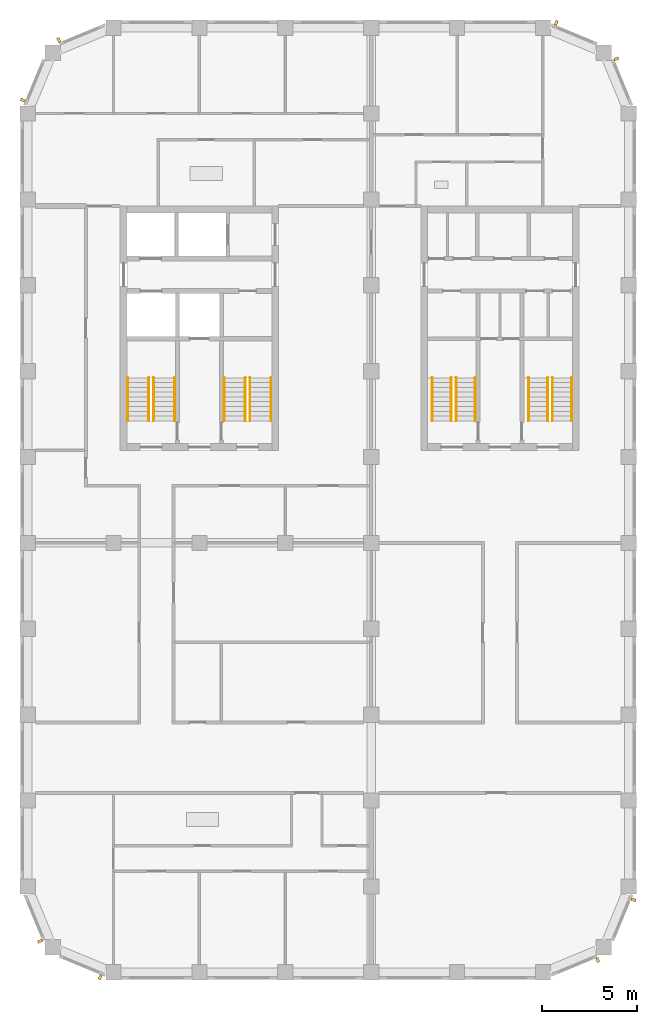
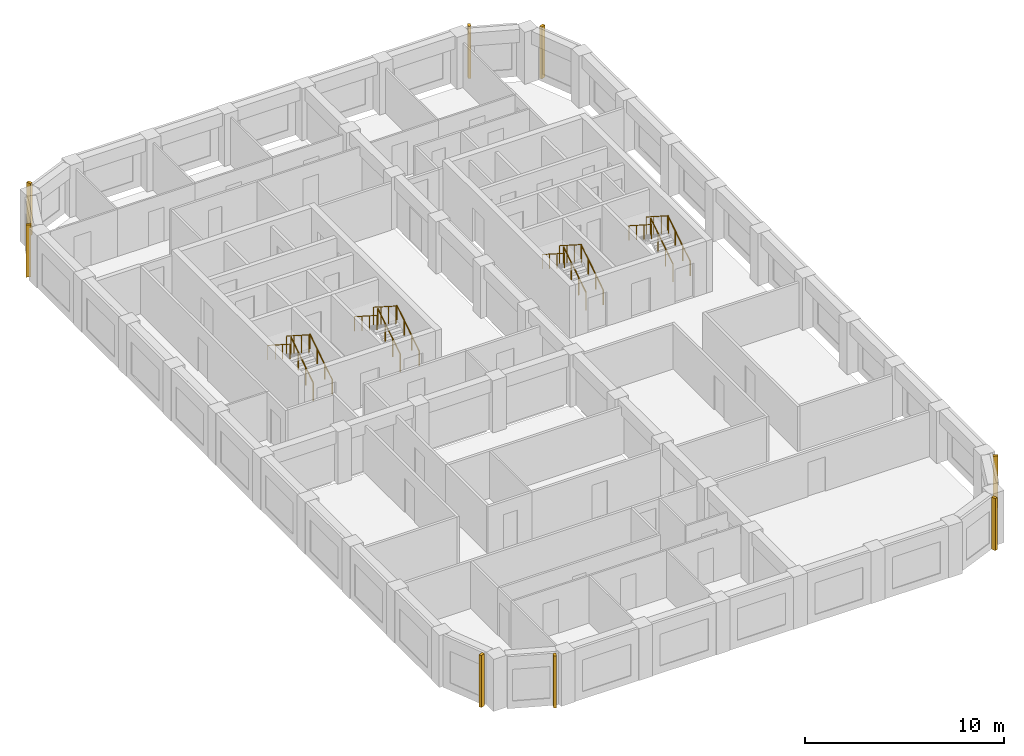
# One storey, part 8 of 9: 16 railings, 8 shading devices.
"""IFC4 building model written with IfcOpenShell, lengths in metres."""

from ifc_helpers import new_model, si_unit, direction, frame, origin, origin_2d, place, context, subcontext, project, spatial, rectangle, circle, extrude, material, type_object, element, save


model = new_model("IFC4")

# Units and contexts
model_context = context("Model", 3, precision=1e-05, world=origin(), true_north=direction((0.0, 1.0)))
body_context = subcontext(model_context, "Body", "Model", "MODEL_VIEW")
ifc_project = project(units=[si_unit("LENGTHUNIT", "METRE"), si_unit("AREAUNIT", "SQUARE_METRE"), si_unit("VOLUMEUNIT", "CUBIC_METRE"), si_unit("PLANEANGLEUNIT", "RADIAN"), si_unit("MASSUNIT", "GRAM", prefix="KILO")], contexts=[model_context])

# Site, building, storey
site_placement = place(None, origin())
site = spatial("IfcSite", under=ifc_project, at=site_placement, CompositionType="ELEMENT")
building_placement = place(site_placement, origin())
building = spatial("IfcBuilding", under=site, at=building_placement, Name="Girih Gate Residences", CompositionType="ELEMENT")
storey_placement = place(building_placement, frame((0.0, 0.0, 182.699951171875)))
storey = spatial("IfcBuildingStorey", under=building, at=storey_placement, Name="L50", CompositionType="ELEMENT", Elevation=182.699951171875)

# Shading devices
ifc_material_1 = material(Name="Precast concrete C50/60", Category="concrete")
shading_device_type = type_object("IfcShadingDeviceType", Name="Corner rib 150x250", PredefinedType="USERDEFINED", material=ifc_material_1)
for number, where, z_axis, x_axis, name in (
    (1, (29.867919921875, 0.646728515625, 0.0), (0.0, 0.0, 1.0), (0.923879532511, 0.382683432365, 0.0), "Corner rib SE0270_0000.0"),
    (2, (31.752685546875, 3.80322265625, 0.0), (0.0, 0.0, 1.0), (0.382683432365, 0.923879532511, 0.0), "Corner rib SE0302_0013.0"),
    (3, (30.853271484375, 47.867919921875, 0.0), (0.0, 0.0, 1.0), (-0.382683432365, 0.923879532511, 0.0), "Corner rib NE0315_0450.0"),
    (4, (27.69677734375, 49.752685546875, 0.0), (0.0, 0.0, 1.0), (-0.923879532511, 0.382683432365, 0.0), "Corner rib NE0302_0482.0"),
    (5, (1.632080078125, 48.853271484375, 0.0), (0.0, 0.0, 1.0), (-0.923879532511, -0.382683432365, 0.0), "Corner rib NW0045_0495.0"),
    (6, (-0.252685546875, 45.69677734375, 0.0), (0.0, 0.0, 1.0), (-0.382683432365, -0.923879532511, 0.0), "Corner rib NW0013_0482.0"),
    (7, (0.646728515625, 1.632080078125, 0.0), (0.0, 0.0, 1.0), (0.382683432365, -0.923879532511, 0.0), "Corner rib SW0000_0045.0"),
    (8, (3.80322265625, -0.252685546875, 0.0), (0.0, 0.0, 1.0), (0.923879532511, -0.382683432365, 0.0), "Corner rib SW0013_0013.0"),
):
    element("IfcShadingDevice", number, at=place(storey_placement, frame(where, z_axis=z_axis, x_axis=x_axis)), inside=storey, type_object=shading_device_type, Name=name, ObjectType="FIN", PredefinedType="USERDEFINED", context=body_context, shape_type="SweptSolid", body=[
        extrude(rectangle(XDim=0.14990234375, YDim=0.25, at=origin_2d()), origin(), (0.0, 0.0, 1.0), 3.199951171875),
    ])

# Railings
ifc_material_2 = material(Name="Stainless steel", Category="steel")
railing_type_1 = type_object("IfcRailingType", Name="Stair guard 1100", PredefinedType="GUARDRAIL", material=ifc_material_2)
railing_1_placement = place(storey_placement, frame((6.60009765625, 28.89990234375, 0.16015625)))
element("IfcRailing", 9, at=railing_1_placement, inside=storey, type_object=railing_type_1, Name="L50 ST-W1 stair guard 1", PredefinedType="GUARDRAIL", context=body_context, shape_type="SweptSolid", body=[
    extrude(circle(Radius=0.02392578125, at=origin_2d()), frame((0.0, 0.0, 1.076171875), z_axis=(0.0, 0.842281359387, 0.539038135598), x_axis=(-1.0, 0.0, 0.0)), (0.0, 0.0, 1.0), 2.67138671875),
    extrude(circle(Radius=0.02099609375, at=origin_2d()), origin(), (0.0, 0.0, 1.0), 1.052001953125),
    extrude(circle(Radius=0.02099609375, at=origin_2d()), frame((0.0, 0.75, 0.47998046875)), (0.0, 0.0, 1.0), 1.052001953125),
    extrude(circle(Radius=0.02099609375, at=origin_2d()), frame((0.0, 1.5, 0.9599609375)), (0.0, 0.0, 1.0), 1.052001953125),
    extrude(circle(Radius=0.02099609375, at=origin_2d()), frame((0.0, 2.25, 1.43994140625)), (0.0, 0.0, 1.0), 1.052001953125),
])
railing_2_placement = place(storey_placement, frame((6.35009765625, 31.14990234375, 1.760009765625)))
element("IfcRailing", 10, at=railing_2_placement, inside=storey, type_object=railing_type_1, Name="L50 ST-W1 stair guard 2", PredefinedType="GUARDRAIL", context=body_context, shape_type="SweptSolid", body=[
    extrude(circle(Radius=0.02392578125, at=origin_2d()), frame((0.0, 0.0, 1.076171875), z_axis=(0.0, -0.842281359387, 0.539038135598), x_axis=(1.0, 0.0, 0.0)), (0.0, 0.0, 1.0), 2.67138671875),
    extrude(circle(Radius=0.02099609375, at=origin_2d()), origin(), (0.0, 0.0, 1.0), 1.052001953125),
    extrude(circle(Radius=0.02099609375, at=origin_2d()), frame((0.0, -0.75, 0.47998046875)), (0.0, 0.0, 1.0), 1.052001953125),
    extrude(circle(Radius=0.02099609375, at=origin_2d()), frame((0.0, -1.5, 0.9599609375)), (0.0, 0.0, 1.0), 1.052001953125),
    extrude(circle(Radius=0.02099609375, at=origin_2d()), frame((0.0, -2.25, 1.43994140625)), (0.0, 0.0, 1.0), 1.052001953125),
])
railing_3_placement = place(storey_placement, frame((11.64990234375, 28.89990234375, 0.16015625)))
element("IfcRailing", 11, at=railing_3_placement, inside=storey, type_object=railing_type_1, Name="L50 ST-W2 stair guard 1", PredefinedType="GUARDRAIL", context=body_context, shape_type="SweptSolid", body=[
    extrude(circle(Radius=0.02392578125, at=origin_2d()), frame((0.0, 0.0, 1.076171875), z_axis=(0.0, 0.842281359387, 0.539038135598), x_axis=(-1.0, 0.0, 0.0)), (0.0, 0.0, 1.0), 2.67138671875),
    extrude(circle(Radius=0.02099609375, at=origin_2d()), origin(), (0.0, 0.0, 1.0), 1.052001953125),
    extrude(circle(Radius=0.02099609375, at=origin_2d()), frame((0.0, 0.75, 0.47998046875)), (0.0, 0.0, 1.0), 1.052001953125),
    extrude(circle(Radius=0.02099609375, at=origin_2d()), frame((0.0, 1.5, 0.9599609375)), (0.0, 0.0, 1.0), 1.052001953125),
    extrude(circle(Radius=0.02099609375, at=origin_2d()), frame((0.0, 2.25, 1.43994140625)), (0.0, 0.0, 1.0), 1.052001953125),
])
railing_4_placement = place(storey_placement, frame((11.39990234375, 31.14990234375, 1.760009765625)))
element("IfcRailing", 12, at=railing_4_placement, inside=storey, type_object=railing_type_1, Name="L50 ST-W2 stair guard 2", PredefinedType="GUARDRAIL", context=body_context, shape_type="SweptSolid", body=[
    extrude(circle(Radius=0.02392578125, at=origin_2d()), frame((0.0, 0.0, 1.076171875), z_axis=(0.0, -0.842281359387, 0.539038135598), x_axis=(1.0, 0.0, 0.0)), (0.0, 0.0, 1.0), 2.67138671875),
    extrude(circle(Radius=0.02099609375, at=origin_2d()), origin(), (0.0, 0.0, 1.0), 1.052001953125),
    extrude(circle(Radius=0.02099609375, at=origin_2d()), frame((0.0, -0.75, 0.47998046875)), (0.0, 0.0, 1.0), 1.052001953125),
    extrude(circle(Radius=0.02099609375, at=origin_2d()), frame((0.0, -1.5, 0.9599609375)), (0.0, 0.0, 1.0), 1.052001953125),
    extrude(circle(Radius=0.02099609375, at=origin_2d()), frame((0.0, -2.25, 1.43994140625)), (0.0, 0.0, 1.0), 1.052001953125),
])
railing_5_placement = place(storey_placement, frame((22.449951171875, 28.89990234375, 0.16015625)))
element("IfcRailing", 13, at=railing_5_placement, inside=storey, type_object=railing_type_1, Name="L50 ST-C1 stair guard 1", PredefinedType="GUARDRAIL", context=body_context, shape_type="SweptSolid", body=[
    extrude(circle(Radius=0.02392578125, at=origin_2d()), frame((0.0, 0.0, 1.076171875), z_axis=(0.0, 0.842281359387, 0.539038135598), x_axis=(-1.0, 0.0, 0.0)), (0.0, 0.0, 1.0), 2.67138671875),
    extrude(circle(Radius=0.02099609375, at=origin_2d()), origin(), (0.0, 0.0, 1.0), 1.052001953125),
    extrude(circle(Radius=0.02099609375, at=origin_2d()), frame((0.0, 0.75, 0.47998046875)), (0.0, 0.0, 1.0), 1.052001953125),
    extrude(circle(Radius=0.02099609375, at=origin_2d()), frame((0.0, 1.5, 0.9599609375)), (0.0, 0.0, 1.0), 1.052001953125),
    extrude(circle(Radius=0.02099609375, at=origin_2d()), frame((0.0, 2.25, 1.43994140625)), (0.0, 0.0, 1.0), 1.052001953125),
])
railing_6_placement = place(storey_placement, frame((22.199951171875, 31.14990234375, 1.760009765625)))
element("IfcRailing", 14, at=railing_6_placement, inside=storey, type_object=railing_type_1, Name="L50 ST-C1 stair guard 2", PredefinedType="GUARDRAIL", context=body_context, shape_type="SweptSolid", body=[
    extrude(circle(Radius=0.02392578125, at=origin_2d()), frame((0.0, 0.0, 1.076171875), z_axis=(0.0, -0.842281359387, 0.539038135598), x_axis=(1.0, 0.0, 0.0)), (0.0, 0.0, 1.0), 2.67138671875),
    extrude(circle(Radius=0.02099609375, at=origin_2d()), origin(), (0.0, 0.0, 1.0), 1.052001953125),
    extrude(circle(Radius=0.02099609375, at=origin_2d()), frame((0.0, -0.75, 0.47998046875)), (0.0, 0.0, 1.0), 1.052001953125),
    extrude(circle(Radius=0.02099609375, at=origin_2d()), frame((0.0, -1.5, 0.9599609375)), (0.0, 0.0, 1.0), 1.052001953125),
    extrude(circle(Radius=0.02099609375, at=origin_2d()), frame((0.0, -2.25, 1.43994140625)), (0.0, 0.0, 1.0), 1.052001953125),
])
railing_7_placement = place(storey_placement, frame((27.5, 28.89990234375, 0.16015625)))
element("IfcRailing", 15, at=railing_7_placement, inside=storey, type_object=railing_type_1, Name="L50 ST-C2 stair guard 1", PredefinedType="GUARDRAIL", context=body_context, shape_type="SweptSolid", body=[
    extrude(circle(Radius=0.02392578125, at=origin_2d()), frame((0.0, 0.0, 1.076171875), z_axis=(0.0, 0.842281359387, 0.539038135598), x_axis=(-1.0, 0.0, 0.0)), (0.0, 0.0, 1.0), 2.67138671875),
    extrude(circle(Radius=0.02099609375, at=origin_2d()), origin(), (0.0, 0.0, 1.0), 1.052001953125),
    extrude(circle(Radius=0.02099609375, at=origin_2d()), frame((0.0, 0.75, 0.47998046875)), (0.0, 0.0, 1.0), 1.052001953125),
    extrude(circle(Radius=0.02099609375, at=origin_2d()), frame((0.0, 1.5, 0.9599609375)), (0.0, 0.0, 1.0), 1.052001953125),
    extrude(circle(Radius=0.02099609375, at=origin_2d()), frame((0.0, 2.25, 1.43994140625)), (0.0, 0.0, 1.0), 1.052001953125),
])
railing_8_placement = place(storey_placement, frame((27.25, 31.14990234375, 1.760009765625)))
element("IfcRailing", 16, at=railing_8_placement, inside=storey, type_object=railing_type_1, Name="L50 ST-C2 stair guard 2", PredefinedType="GUARDRAIL", context=body_context, shape_type="SweptSolid", body=[
    extrude(circle(Radius=0.02392578125, at=origin_2d()), frame((0.0, 0.0, 1.076171875), z_axis=(0.0, -0.842281359387, 0.539038135598), x_axis=(1.0, 0.0, 0.0)), (0.0, 0.0, 1.0), 2.67138671875),
    extrude(circle(Radius=0.02099609375, at=origin_2d()), origin(), (0.0, 0.0, 1.0), 1.052001953125),
    extrude(circle(Radius=0.02099609375, at=origin_2d()), frame((0.0, -0.75, 0.47998046875)), (0.0, 0.0, 1.0), 1.052001953125),
    extrude(circle(Radius=0.02099609375, at=origin_2d()), frame((0.0, -1.5, 0.9599609375)), (0.0, 0.0, 1.0), 1.052001953125),
    extrude(circle(Radius=0.02099609375, at=origin_2d()), frame((0.0, -2.25, 1.43994140625)), (0.0, 0.0, 1.0), 1.052001953125),
])
railing_type_2 = type_object("IfcRailingType", Name="Stair handrail 900", PredefinedType="HANDRAIL", material=ifc_material_2)
railing_9_placement = place(storey_placement, frame((7.699951171875, 28.89990234375, 0.16015625)))
element("IfcRailing", 17, at=railing_9_placement, inside=storey, type_object=railing_type_2, Name="L50 ST-W1 stair handrail 1", PredefinedType="HANDRAIL", context=body_context, shape_type="SweptSolid", body=[
    extrude(circle(Radius=0.02392578125, at=origin_2d()), frame((0.0, 0.0, 0.8857421875), z_axis=(0.0, 0.842281359387, 0.539038135598), x_axis=(-1.0, 0.0, 0.0)), (0.0, 0.0, 1.0), 2.67138671875),
    extrude(circle(Radius=0.02099609375, at=origin_2d()), origin(), (0.0, 0.0, 1.0), 0.86181640625),
    extrude(circle(Radius=0.02099609375, at=origin_2d()), frame((0.0, 0.75, 0.47998046875)), (0.0, 0.0, 1.0), 0.86181640625),
    extrude(circle(Radius=0.02099609375, at=origin_2d()), frame((0.0, 1.5, 0.9599609375)), (0.0, 0.0, 1.0), 0.86181640625),
    extrude(circle(Radius=0.02099609375, at=origin_2d()), frame((0.0, 2.25, 1.43994140625)), (0.0, 0.0, 1.0), 0.86181640625),
])
railing_10_placement = place(storey_placement, frame((5.25, 31.14990234375, 1.760009765625)))
element("IfcRailing", 18, at=railing_10_placement, inside=storey, type_object=railing_type_2, Name="L50 ST-W1 stair handrail 2", PredefinedType="HANDRAIL", context=body_context, shape_type="SweptSolid", body=[
    extrude(circle(Radius=0.02392578125, at=origin_2d()), frame((0.0, 0.0, 0.8857421875), z_axis=(0.0, -0.842281359387, 0.539038135598), x_axis=(1.0, 0.0, 0.0)), (0.0, 0.0, 1.0), 2.67138671875),
    extrude(circle(Radius=0.02099609375, at=origin_2d()), origin(), (0.0, 0.0, 1.0), 0.86181640625),
    extrude(circle(Radius=0.02099609375, at=origin_2d()), frame((0.0, -0.75, 0.47998046875)), (0.0, 0.0, 1.0), 0.86181640625),
    extrude(circle(Radius=0.02099609375, at=origin_2d()), frame((0.0, -1.5, 0.9599609375)), (0.0, 0.0, 1.0), 0.86181640625),
    extrude(circle(Radius=0.02099609375, at=origin_2d()), frame((0.0, -2.25, 1.43994140625)), (0.0, 0.0, 1.0), 0.86181640625),
])
railing_11_placement = place(storey_placement, frame((12.75, 28.89990234375, 0.16015625)))
element("IfcRailing", 19, at=railing_11_placement, inside=storey, type_object=railing_type_2, Name="L50 ST-W2 stair handrail 1", PredefinedType="HANDRAIL", context=body_context, shape_type="SweptSolid", body=[
    extrude(circle(Radius=0.02392578125, at=origin_2d()), frame((0.0, 0.0, 0.8857421875), z_axis=(0.0, 0.842281359387, 0.539038135598), x_axis=(-1.0, 0.0, 0.0)), (0.0, 0.0, 1.0), 2.67138671875),
    extrude(circle(Radius=0.02099609375, at=origin_2d()), origin(), (0.0, 0.0, 1.0), 0.86181640625),
    extrude(circle(Radius=0.02099609375, at=origin_2d()), frame((0.0, 0.75, 0.47998046875)), (0.0, 0.0, 1.0), 0.86181640625),
    extrude(circle(Radius=0.02099609375, at=origin_2d()), frame((0.0, 1.5, 0.9599609375)), (0.0, 0.0, 1.0), 0.86181640625),
    extrude(circle(Radius=0.02099609375, at=origin_2d()), frame((0.0, 2.25, 1.43994140625)), (0.0, 0.0, 1.0), 0.86181640625),
])
railing_12_placement = place(storey_placement, frame((10.300048828125, 31.14990234375, 1.760009765625)))
element("IfcRailing", 20, at=railing_12_placement, inside=storey, type_object=railing_type_2, Name="L50 ST-W2 stair handrail 2", PredefinedType="HANDRAIL", context=body_context, shape_type="SweptSolid", body=[
    extrude(circle(Radius=0.02392578125, at=origin_2d()), frame((0.0, 0.0, 0.8857421875), z_axis=(0.0, -0.842281359387, 0.539038135598), x_axis=(1.0, 0.0, 0.0)), (0.0, 0.0, 1.0), 2.67138671875),
    extrude(circle(Radius=0.02099609375, at=origin_2d()), origin(), (0.0, 0.0, 1.0), 0.86181640625),
    extrude(circle(Radius=0.02099609375, at=origin_2d()), frame((0.0, -0.75, 0.47998046875)), (0.0, 0.0, 1.0), 0.86181640625),
    extrude(circle(Radius=0.02099609375, at=origin_2d()), frame((0.0, -1.5, 0.9599609375)), (0.0, 0.0, 1.0), 0.86181640625),
    extrude(circle(Radius=0.02099609375, at=origin_2d()), frame((0.0, -2.25, 1.43994140625)), (0.0, 0.0, 1.0), 0.86181640625),
])
railing_13_placement = place(storey_placement, frame((23.449951171875, 28.89990234375, 0.16015625)))
element("IfcRailing", 21, at=railing_13_placement, inside=storey, type_object=railing_type_2, Name="L50 ST-C1 stair handrail 1", PredefinedType="HANDRAIL", context=body_context, shape_type="SweptSolid", body=[
    extrude(circle(Radius=0.02392578125, at=origin_2d()), frame((0.0, 0.0, 0.8857421875), z_axis=(0.0, 0.842281359387, 0.539038135598), x_axis=(-1.0, 0.0, 0.0)), (0.0, 0.0, 1.0), 2.67138671875),
    extrude(circle(Radius=0.02099609375, at=origin_2d()), origin(), (0.0, 0.0, 1.0), 0.86181640625),
    extrude(circle(Radius=0.02099609375, at=origin_2d()), frame((0.0, 0.75, 0.47998046875)), (0.0, 0.0, 1.0), 0.86181640625),
    extrude(circle(Radius=0.02099609375, at=origin_2d()), frame((0.0, 1.5, 0.9599609375)), (0.0, 0.0, 1.0), 0.86181640625),
    extrude(circle(Radius=0.02099609375, at=origin_2d()), frame((0.0, 2.25, 1.43994140625)), (0.0, 0.0, 1.0), 0.86181640625),
])
railing_14_placement = place(storey_placement, frame((21.199951171875, 31.14990234375, 1.760009765625)))
element("IfcRailing", 22, at=railing_14_placement, inside=storey, type_object=railing_type_2, Name="L50 ST-C1 stair handrail 2", PredefinedType="HANDRAIL", context=body_context, shape_type="SweptSolid", body=[
    extrude(circle(Radius=0.02392578125, at=origin_2d()), frame((0.0, 0.0, 0.8857421875), z_axis=(0.0, -0.842281359387, 0.539038135598), x_axis=(1.0, 0.0, 0.0)), (0.0, 0.0, 1.0), 2.67138671875),
    extrude(circle(Radius=0.02099609375, at=origin_2d()), origin(), (0.0, 0.0, 1.0), 0.86181640625),
    extrude(circle(Radius=0.02099609375, at=origin_2d()), frame((0.0, -0.75, 0.47998046875)), (0.0, 0.0, 1.0), 0.86181640625),
    extrude(circle(Radius=0.02099609375, at=origin_2d()), frame((0.0, -1.5, 0.9599609375)), (0.0, 0.0, 1.0), 0.86181640625),
    extrude(circle(Radius=0.02099609375, at=origin_2d()), frame((0.0, -2.25, 1.43994140625)), (0.0, 0.0, 1.0), 0.86181640625),
])
railing_15_placement = place(storey_placement, frame((28.5, 28.89990234375, 0.16015625)))
element("IfcRailing", 23, at=railing_15_placement, inside=storey, type_object=railing_type_2, Name="L50 ST-C2 stair handrail 1", PredefinedType="HANDRAIL", context=body_context, shape_type="SweptSolid", body=[
    extrude(circle(Radius=0.02392578125, at=origin_2d()), frame((0.0, 0.0, 0.8857421875), z_axis=(0.0, 0.842281359387, 0.539038135598), x_axis=(-1.0, 0.0, 0.0)), (0.0, 0.0, 1.0), 2.67138671875),
    extrude(circle(Radius=0.02099609375, at=origin_2d()), origin(), (0.0, 0.0, 1.0), 0.86181640625),
    extrude(circle(Radius=0.02099609375, at=origin_2d()), frame((0.0, 0.75, 0.47998046875)), (0.0, 0.0, 1.0), 0.86181640625),
    extrude(circle(Radius=0.02099609375, at=origin_2d()), frame((0.0, 1.5, 0.9599609375)), (0.0, 0.0, 1.0), 0.86181640625),
    extrude(circle(Radius=0.02099609375, at=origin_2d()), frame((0.0, 2.25, 1.43994140625)), (0.0, 0.0, 1.0), 0.86181640625),
])
railing_16_placement = place(storey_placement, frame((26.25, 31.14990234375, 1.760009765625)))
element("IfcRailing", 24, at=railing_16_placement, inside=storey, type_object=railing_type_2, Name="L50 ST-C2 stair handrail 2", PredefinedType="HANDRAIL", context=body_context, shape_type="SweptSolid", body=[
    extrude(circle(Radius=0.02392578125, at=origin_2d()), frame((0.0, 0.0, 0.8857421875), z_axis=(0.0, -0.842281359387, 0.539038135598), x_axis=(1.0, 0.0, 0.0)), (0.0, 0.0, 1.0), 2.67138671875),
    extrude(circle(Radius=0.02099609375, at=origin_2d()), origin(), (0.0, 0.0, 1.0), 0.86181640625),
    extrude(circle(Radius=0.02099609375, at=origin_2d()), frame((0.0, -0.75, 0.47998046875)), (0.0, 0.0, 1.0), 0.86181640625),
    extrude(circle(Radius=0.02099609375, at=origin_2d()), frame((0.0, -1.5, 0.9599609375)), (0.0, 0.0, 1.0), 0.86181640625),
    extrude(circle(Radius=0.02099609375, at=origin_2d()), frame((0.0, -2.25, 1.43994140625)), (0.0, 0.0, 1.0), 0.86181640625),
])

save(model, "model.ifc")
